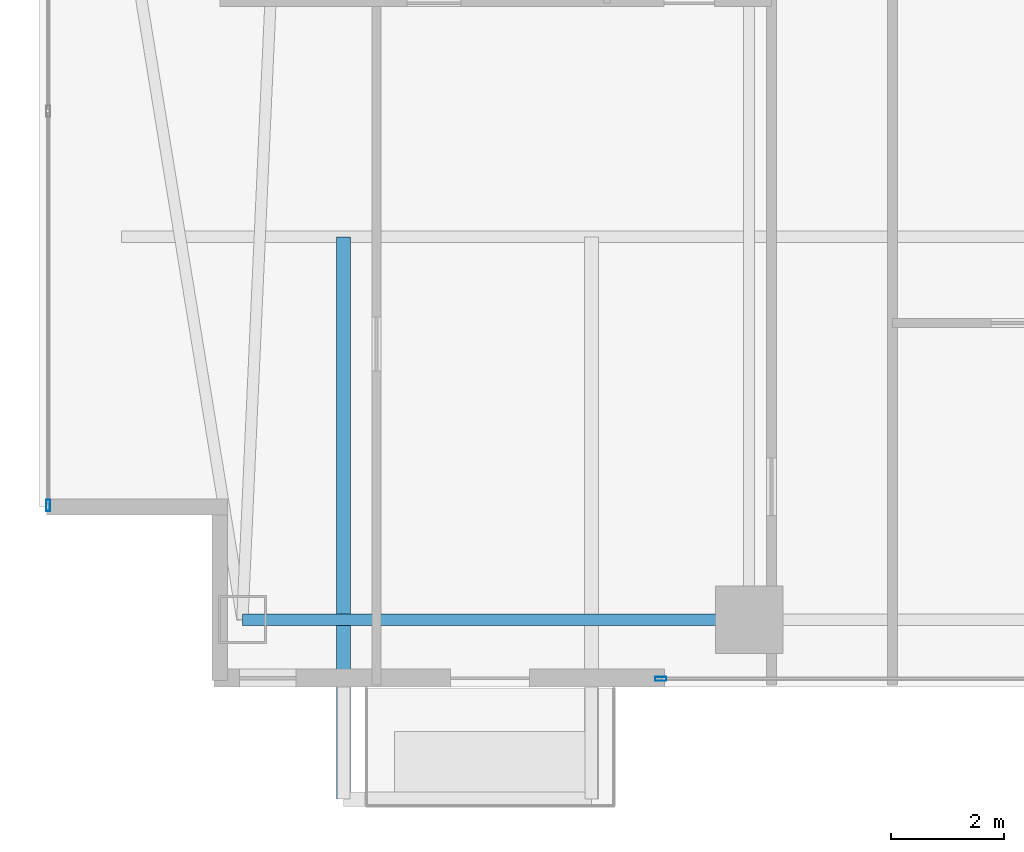
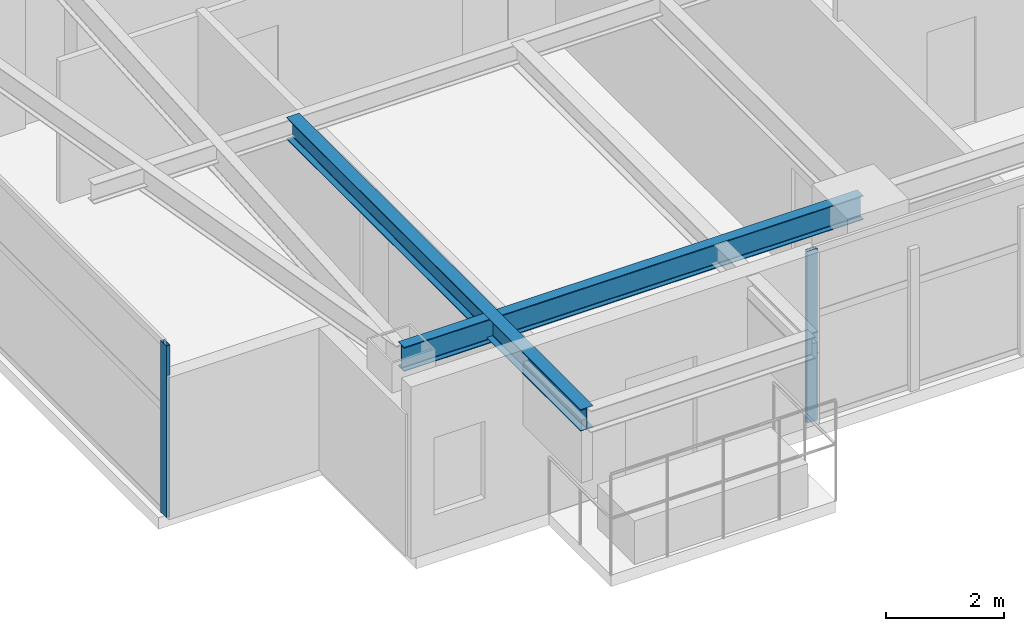
# One storey, part 2 of 28: 2 beams, 2 members, 2 elements without a shape of their own.
"""IFC4 building model written with IfcOpenShell, lengths in metres."""

from ifc_helpers import new_model, si_unit, direction, frame, origin, origin_2d, place, context, subcontext, project, spatial, hollow_rectangle, i_section, extrude, material, layer, layer_set, material_profile, profile_set, type_object, element, aggregate, save


model = new_model("IFC4")

# Units and contexts
model_context = context("Model", 3, precision=1e-05, world=origin(), true_north=direction((0.0, 1.0)))
body_context = subcontext(model_context, "Body", "Model", "MODEL_VIEW")
ifc_project = project(units=[si_unit("LENGTHUNIT", "METRE"), si_unit("AREAUNIT", "SQUARE_METRE"), si_unit("VOLUMEUNIT", "CUBIC_METRE"), si_unit("PLANEANGLEUNIT", "RADIAN"), si_unit("MASSUNIT", "GRAM", prefix="KILO")], contexts=[model_context])

# Site, building, storey
site_placement = place(None, origin())
site = spatial("IfcSite", under=ifc_project, at=site_placement, CompositionType="ELEMENT")
building_placement = place(site_placement, origin())
building = spatial("IfcBuilding", under=site, at=building_placement, Name="Calvorn Quay Hotel", CompositionType="ELEMENT")
storey_placement = place(building_placement, frame((0.0, 0.0, 178.89990234375)))
storey = spatial("IfcBuildingStorey", under=building, at=storey_placement, Name="L44", CompositionType="ELEMENT", Elevation=178.89990234375)

# Beams
ifc_material_1 = material(Name="Steel Q355B", Category="steel")
ifc_material_profile_1 = material_profile(ifc_material_1, i_section(OverallWidth=0.25, OverallDepth=0.449951171875, WebThickness=0.011962890625, FlangeThickness=0.01611328125, FilletRadius=0.01611328125, at=origin_2d()), Name="HN450x250x12x16")
ifc_profile_set_1 = profile_set([ifc_material_profile_1], Name="Steel Q355B")
beam_type_1 = type_object("IfcBeamType", Name="BM-CANT-BALC", PredefinedType="BEAM", material=ifc_profile_set_1)
beam_1_placement = place(storey_placement, frame((5.39990234375, 10.39990234375, 3.315185546875), z_axis=(0.0, -1.0, 0.0), x_axis=(1.0, 0.0, 0.0)))
element("IfcBeam", 1, at=beam_1_placement, inside=storey, type_object=beam_type_1, Name="Cantilever Balcony Beam BCB-L45-2A", PredefinedType="BEAM", context=body_context, shape_type="SweptSolid", body=[
    extrude(i_section(OverallWidth=0.25, OverallDepth=0.449951171875, WebThickness=0.011962890625, FlangeThickness=0.01611328125, FilletRadius=0.01611328125, at=origin_2d()), origin(), (0.0, 0.0, 1.0), 9.989990234375),
])
ifc_material_2 = material(Name="Steel Q355B", Category="steel")
ifc_material_profile_2 = material_profile(ifc_material_2, i_section(OverallWidth=0.199951171875, OverallDepth=0.5, WebThickness=0.010009765625, FlangeThickness=0.01611328125, FilletRadius=0.01611328125, at=origin_2d()), Name="HN500x200x10x16")
ifc_profile_set_2 = profile_set([ifc_material_profile_2], Name="Steel Q355B")
beam_type_2 = type_object("IfcBeamType", Name="BM-SPANDREL-Z1", PredefinedType="SPANDREL", material=ifc_profile_set_2)
beam_2_placement = place(storey_placement, frame((3.60009765625, 3.60009765625, 3.2900390625), z_axis=(1.0, 0.0, 0.0), x_axis=(0.0, 1.0, 0.0)))
element("IfcBeam", 2, at=beam_2_placement, inside=storey, type_object=beam_type_2, Name="Beam BSP-L44-S1", PredefinedType="SPANDREL", context=body_context, shape_type="SweptSolid", body=[
    extrude(i_section(OverallWidth=0.199951171875, OverallDepth=0.5, WebThickness=0.010009765625, FlangeThickness=0.01611328125, FilletRadius=0.01611328125, at=origin_2d()), origin(), (0.0, 0.0, 1.0), 9.0),
])

# Curtain wall, member
ifc_material_3 = material(Name="Pale Anodised Aluminium and Low-E Glass", Category="aluminium")
ifc_layer = layer(ifc_material_3, 0.219970703125)
ifc_layer_set = layer_set([ifc_layer], Name="CW-SYS-Z2")
curtain_wall_type = type_object("IfcCurtainWallType", Name="CW-SYS-Z2", PredefinedType="NOTDEFINED", material=ifc_layer_set)
curtain_wall_1_placement = place(storey_placement, origin())
curtain_wall_1 = element("IfcCurtainWall", 3, at=curtain_wall_1_placement, inside=storey, type_object=curtain_wall_type, Name="Tower West Curtain Wall (L44)", PredefinedType="NOTDEFINED")
ifc_material_4 = material(Name="Pale Anodised Aluminium 6063-T6", Category="aluminium")
ifc_material_profile_3 = material_profile(ifc_material_4, hollow_rectangle(XDim=0.070068359375, YDim=0.199951171875, WallThickness=0.00390625, at=origin_2d()), Name="ALU-M200x70x4")
ifc_profile_set_3 = profile_set([ifc_material_profile_3], Name="Pale Anodised Aluminium 6063-T6")
member_type = type_object("IfcMemberType", Name="CW-SYS-Z2-MUL", PredefinedType="MULLION", material=ifc_profile_set_3)
member_1_placement = place(storey_placement, frame((0.14990234375, 5.6298828125, 0.0), z_axis=(0.0, 0.0, 1.0), x_axis=(-1.0, 0.0, 0.0)))
member_1 = element("IfcMember", 4, at=member_1_placement, type_object=member_type, Name="CW-L44-W mullion 1", PredefinedType="MULLION", context=body_context, shape_type="SweptSolid", body=[
    extrude(hollow_rectangle(XDim=0.070068359375, YDim=0.199951171875, WallThickness=0.00390625, at=origin_2d()), origin(), (0.0, 0.0, 1.0), 3.56005859375),
])
aggregate(curtain_wall_1, [member_1])

curtain_wall_2_placement = place(storey_placement, origin())
curtain_wall_2 = element("IfcCurtainWall", 5, at=curtain_wall_2_placement, inside=storey, type_object=curtain_wall_type, Name="Tower South Waterfront Curtain Wall (L44)", PredefinedType="NOTDEFINED")
member_2_placement = place(storey_placement, frame((11.030029296875, 2.550048828125, 0.0), z_axis=(0.0, 0.0, 1.0), x_axis=(0.0, 1.0, 0.0)))
member_2 = element("IfcMember", 6, at=member_2_placement, type_object=member_type, Name="CW-L44-S mullion 1", PredefinedType="MULLION", context=body_context, shape_type="SweptSolid", body=[
    extrude(hollow_rectangle(XDim=0.070068359375, YDim=0.199951171875, WallThickness=0.00390625, at=origin_2d()), origin(), (0.0, 0.0, 1.0), 3.56005859375),
])
aggregate(curtain_wall_2, [member_2])

save(model, "model.ifc")
